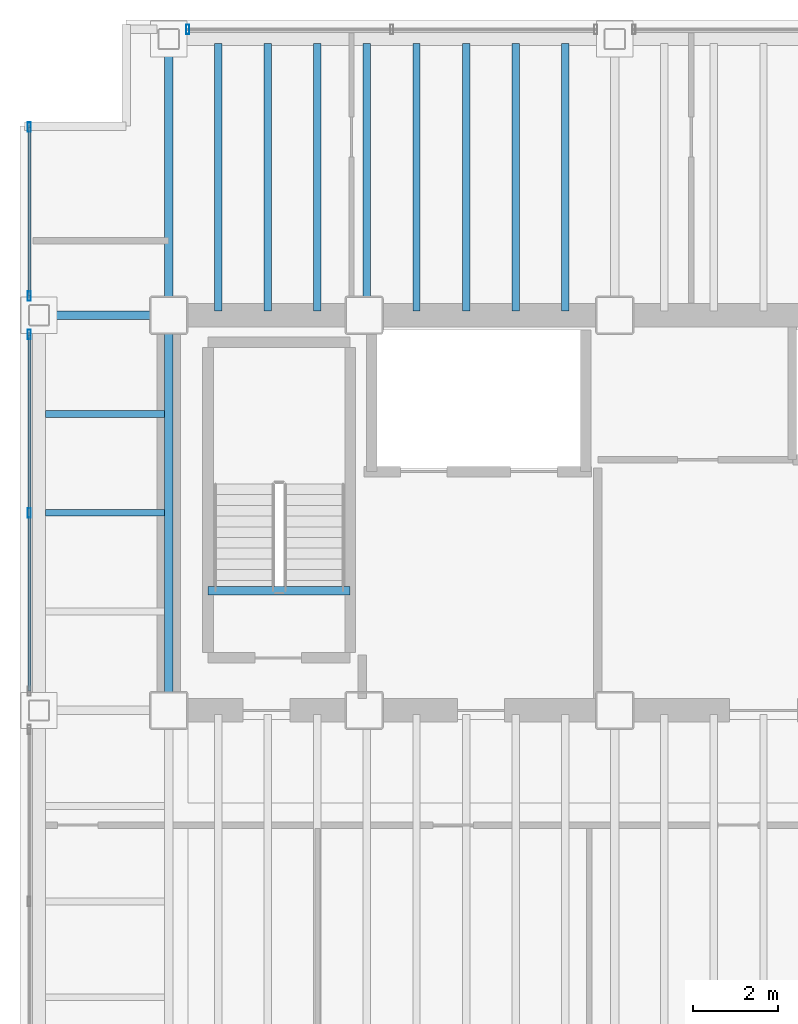
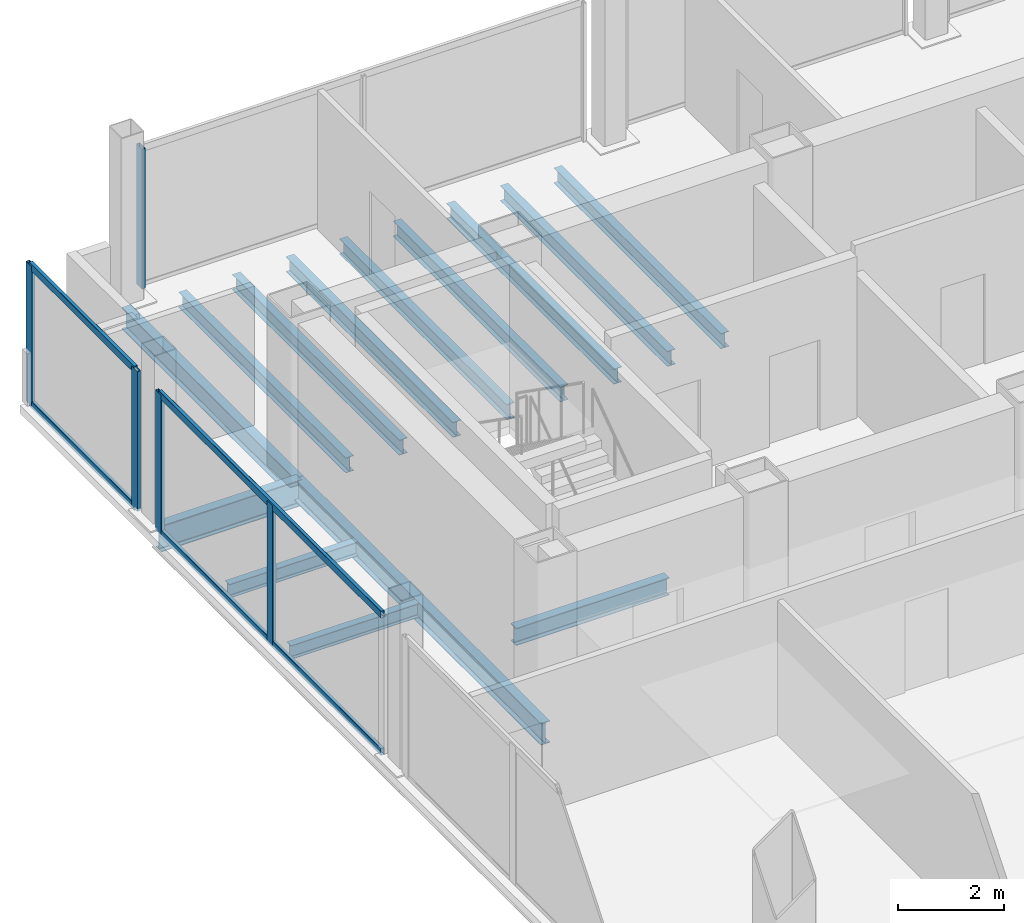
# One storey, part 6 of 15: 14 beams, 9 members, 3 elements without a shape of their own.
"""IFC4 building model written with IfcOpenShell, lengths in metres."""

from ifc_helpers import new_model, si_unit, direction, frame, origin, origin_2d, place, context, subcontext, project, spatial, hollow_rectangle, i_section, extrude, material, material_profile, profile_set, type_object, element, aggregate, save


model = new_model("IFC4")

# Units and contexts
model_context = context("Model", 3, precision=1e-05, world=origin(), true_north=direction((0.0, 1.0)))
body_context = subcontext(model_context, "Body", "Model", "MODEL_VIEW")
ifc_project = project(units=[si_unit("LENGTHUNIT", "METRE"), si_unit("AREAUNIT", "SQUARE_METRE"), si_unit("VOLUMEUNIT", "CUBIC_METRE"), si_unit("PLANEANGLEUNIT", "RADIAN"), si_unit("MASSUNIT", "GRAM", prefix="KILO")], contexts=[model_context])

# Site, building, storey
site_placement = place(None, origin())
site = spatial("IfcSite", under=ifc_project, at=site_placement, CompositionType="ELEMENT")
building_placement = place(site_placement, origin())
building = spatial("IfcBuilding", under=site, at=building_placement, Name="Noeulbin Bourse Tower", CompositionType="ELEMENT")
storey_placement = place(building_placement, frame((0.0, 0.0, 173.39990234375)))
storey = spatial("IfcBuildingStorey", under=building, at=storey_placement, Name="L43", CompositionType="ELEMENT", Elevation=173.39990234375)

# Beams
ifc_material_1 = material(Name="Steel S355", Category="steel")
ifc_material_profile_1 = material_profile(ifc_material_1, i_section(OverallWidth=0.199951171875, OverallDepth=0.5, WebThickness=0.010009765625, FlangeThickness=0.01611328125, FilletRadius=0.02001953125, at=origin_2d()), Name="H-500x200x10x16", Category="LoadBearing")
ifc_profile_set_1 = profile_set([ifc_material_profile_1], Name="Steel S355")
beam_type_1 = type_object("IfcBeamType", Name="BM-GRD-500", PredefinedType="USERDEFINED", material=ifc_profile_set_1)
beam_1_placement = place(storey_placement, frame((13.5, 29.0, -0.429931640625), z_axis=(0.0, 1.0, 0.0), x_axis=(-1.0, 0.0, 0.0)))
element("IfcBeam", 1, at=beam_1_placement, inside=storey, type_object=beam_type_1, Name="Tower Primary Girder NS L43-1.3", ObjectType="GIRDER", PredefinedType="USERDEFINED", context=body_context, shape_type="SweptSolid", body=[
    extrude(i_section(OverallWidth=0.199951171875, OverallDepth=0.5, WebThickness=0.010009765625, FlangeThickness=0.01611328125, FilletRadius=0.02001953125, at=origin_2d()), origin(), (0.0, 0.0, 1.0), 9.300048828125),
])
beam_2_placement = place(storey_placement, frame((13.5, 38.300048828125, -0.429931640625), z_axis=(0.0, 1.0, 0.0), x_axis=(-1.0, 0.0, 0.0)))
element("IfcBeam", 2, at=beam_2_placement, inside=storey, type_object=beam_type_1, Name="Tower Primary Girder NS L43-1.4", ObjectType="GIRDER", PredefinedType="USERDEFINED", context=body_context, shape_type="SweptSolid", body=[
    extrude(i_section(OverallWidth=0.199951171875, OverallDepth=0.5, WebThickness=0.010009765625, FlangeThickness=0.01611328125, FilletRadius=0.02001953125, at=origin_2d()), origin(), (0.0, 0.0, 1.0), 6.5),
])
ifc_material_profile_2 = material_profile(ifc_material_1, i_section(OverallWidth=0.199951171875, OverallDepth=0.60009765625, WebThickness=0.010986328125, FlangeThickness=0.01708984375, FilletRadius=0.02197265625, at=origin_2d()), Name="H-600x200x11x17", Category="LoadBearing")
ifc_profile_set_2 = profile_set([ifc_material_profile_2], Name="Steel S355")
beam_type_2 = type_object("IfcBeamType", Name="BM-GRD-600", PredefinedType="USERDEFINED", material=ifc_profile_set_2)
beam_3_placement = place(storey_placement, frame((10.449951171875, 38.300048828125, -0.47998046875), z_axis=(1.0, 0.0, 0.0), x_axis=(0.0, 1.0, 0.0)))
element("IfcBeam", 3, at=beam_3_placement, inside=storey, type_object=beam_type_2, Name="Tower Primary Girder EW L43-3.1", ObjectType="GIRDER", PredefinedType="USERDEFINED", context=body_context, shape_type="SweptSolid", body=[
    extrude(i_section(OverallWidth=0.199951171875, OverallDepth=0.60009765625, WebThickness=0.010986328125, FlangeThickness=0.01708984375, FilletRadius=0.02197265625, at=origin_2d()), origin(), (0.0, 0.0, 1.0), 3.050048828125),
])
ifc_material_profile_3 = material_profile(ifc_material_1, i_section(OverallWidth=0.159912109375, OverallDepth=0.320068359375, WebThickness=0.006591796875, FlangeThickness=0.010009765625, FilletRadius=0.012939453125, at=origin_2d()), Name="H-320x160x6.5x10", Category="LoadBearing")
ifc_profile_set_3 = profile_set([ifc_material_profile_3], Name="Steel S355")
beam_type_3 = type_object("IfcBeamType", Name="BM-JST-320", PredefinedType="JOIST", material=ifc_profile_set_3)
for number, where, z_axis, x_axis, name in (
    (4, (10.60009765625, 33.64990234375, -0.33984375), (1.0, 0.0, 0.0), (0.0, 1.0, 0.0), "Wing Composite Joist L43-W71"),
    (5, (10.60009765625, 35.97509765625, -0.33984375), (1.0, 0.0, 0.0), (0.0, 1.0, 0.0), "Wing Composite Joist L43-W72"),
):
    element("IfcBeam", number, at=place(storey_placement, frame(where, z_axis=z_axis, x_axis=x_axis)), inside=storey, type_object=beam_type_3, Name=name, PredefinedType="JOIST", context=body_context, shape_type="SweptSolid", body=[
        extrude(i_section(OverallWidth=0.159912109375, OverallDepth=0.320068359375, WebThickness=0.006591796875, FlangeThickness=0.010009765625, FilletRadius=0.012939453125, at=origin_2d()), origin(), (0.0, 0.0, 1.0), 2.7998046875),
    ])
ifc_material_profile_4 = material_profile(ifc_material_1, i_section(OverallWidth=0.175048828125, OverallDepth=0.35009765625, WebThickness=0.007080078125, FlangeThickness=0.010986328125, FilletRadius=0.013916015625, at=origin_2d()), Name="H-350x175x7x11", Category="LoadBearing")
ifc_profile_set_4 = profile_set([ifc_material_profile_4], Name="Steel S355")
beam_type_4 = type_object("IfcBeamType", Name="BM-JST-350", PredefinedType="JOIST", material=ifc_profile_set_4)
for number, where, z_axis, x_axis, name in (
    (6, (14.666748046875, 38.39990234375, -0.35498046875), (0.0, 1.0, 0.0), (-1.0, 0.0, 0.0), "Tower Composite Joist L43-03"),
    (7, (15.833251953125, 38.39990234375, -0.35498046875), (0.0, 1.0, 0.0), (-1.0, 0.0, 0.0), "Tower Composite Joist L43-06"),
    (8, (17.0, 38.39990234375, -0.35498046875), (0.0, 1.0, 0.0), (-1.0, 0.0, 0.0), "Tower Composite Joist L43-09"),
    (9, (18.166748046875, 38.39990234375, -0.35498046875), (0.0, 1.0, 0.0), (-1.0, 0.0, 0.0), "Tower Composite Joist L43-12"),
    (10, (19.333251953125, 38.39990234375, -0.35498046875), (0.0, 1.0, 0.0), (-1.0, 0.0, 0.0), "Tower Composite Joist L43-15"),
    (11, (20.5, 38.39990234375, -0.35498046875), (0.0, 1.0, 0.0), (-1.0, 0.0, 0.0), "Tower Composite Joist L43-18"),
    (12, (21.666748046875, 38.39990234375, -0.35498046875), (0.0, 1.0, 0.0), (-1.0, 0.0, 0.0), "Tower Composite Joist L43-21"),
    (13, (22.833251953125, 38.39990234375, -0.35498046875), (0.0, 1.0, 0.0), (-1.0, 0.0, 0.0), "Tower Composite Joist L43-24"),
):
    element("IfcBeam", number, at=place(storey_placement, frame(where, z_axis=z_axis, x_axis=x_axis)), inside=storey, type_object=beam_type_4, Name=name, PredefinedType="JOIST", context=body_context, shape_type="SweptSolid", body=[
        extrude(i_section(OverallWidth=0.175048828125, OverallDepth=0.35009765625, WebThickness=0.007080078125, FlangeThickness=0.010986328125, FilletRadius=0.013916015625, at=origin_2d()), origin(), (0.0, 0.0, 1.0), 6.300048828125),
    ])
ifc_material_profile_5 = material_profile(ifc_material_1, i_section(OverallWidth=0.199951171875, OverallDepth=0.39990234375, WebThickness=0.008056640625, FlangeThickness=0.012939453125, FilletRadius=0.01611328125, at=origin_2d()), Name="H-400x200x8x13", Category="LoadBearing")
ifc_profile_set_5 = profile_set([ifc_material_profile_5], Name="Steel S355")
beam_type_5 = type_object("IfcBeamType", Name="BM-SEC-400", PredefinedType="BEAM", material=ifc_profile_set_5)
beam_4_placement = place(storey_placement, frame((14.429931640625, 31.820068359375, -0.199951171875), z_axis=(1.0, 0.0, 0.0), x_axis=(0.0, 1.0, 0.0)))
element("IfcBeam", 14, at=beam_4_placement, inside=storey, type_object=beam_type_5, Name="Stair Threshold Trimmer Beam ST1-L43", PredefinedType="BEAM", context=body_context, shape_type="SweptSolid", body=[
    extrude(i_section(OverallWidth=0.199951171875, OverallDepth=0.39990234375, WebThickness=0.008056640625, FlangeThickness=0.012939453125, FilletRadius=0.01611328125, at=origin_2d()), origin(), (0.0, 0.0, 1.0), 3.340087890625),
])

# Curtain wall, member
ifc_material_2 = material(Name="Dark Tinted Triple Glazing", Category="glass")
curtain_wall_type = type_object("IfcCurtainWallType", Name="CW-SYS-3", PredefinedType="NOTDEFINED", material=ifc_material_2)
curtain_wall_1_placement = place(storey_placement, origin())
curtain_wall_1 = element("IfcCurtainWall", 15, at=curtain_wall_1_placement, inside=storey, type_object=curtain_wall_type, Name="Unitised Curtain Wall CW-L43-N-S1", PredefinedType="NOTDEFINED")
ifc_material_3 = material(Name="Anodised Aluminium 6063-T6", Category="aluminium")
ifc_material_profile_6 = material_profile(ifc_material_3, hollow_rectangle(XDim=0.074951171875, YDim=0.219970703125, WallThickness=0.0048828125, InnerFilletRadius=0.00244140625, OuterFilletRadius=0.0048828125, at=origin_2d()), Name="ALU-MULL-75x220x5", Category="LoadBearing")
ifc_profile_set_6 = profile_set([ifc_material_profile_6], Name="Anodised Aluminium 6063-T6")
member_type_1 = type_object("IfcMemberType", Name="CW-SYS-3-MUL", PredefinedType="MULLION", material=ifc_profile_set_6)
member_1_placement = place(storey_placement, frame((13.949951171875, 45.030029296875, -0.02001953125), z_axis=(0.0, 0.0, 1.0), x_axis=(1.0, 0.0, 0.0)))
member_1 = element("IfcMember", 16, at=member_1_placement, type_object=member_type_1, Name="Curtain Wall Mullion CW-L43-N-S1-M00", PredefinedType="MULLION", context=body_context, shape_type="SweptSolid", body=[
    extrude(hollow_rectangle(XDim=0.074951171875, YDim=0.219970703125, WallThickness=0.0048828125, InnerFilletRadius=0.00244140625, OuterFilletRadius=0.0048828125, at=origin_2d()), origin(), (0.0, 0.0, 1.0), 3.22021484375),
])
aggregate(curtain_wall_1, [member_1])

# Curtain wall, members
curtain_wall_2_placement = place(storey_placement, origin())
curtain_wall_2 = element("IfcCurtainWall", 17, at=curtain_wall_2_placement, inside=storey, type_object=curtain_wall_type, Name="Unitised Curtain Wall CW-L43-W-S2", PredefinedType="NOTDEFINED")
member_2_placement = place(storey_placement, frame((10.219970703125, 33.64990234375, -0.02001953125), z_axis=(0.0, 0.0, 1.0), x_axis=(1.0, 0.0, 0.0)))
member_2 = element("IfcMember", 18, at=member_2_placement, type_object=member_type_1, Name="Curtain Wall Mullion CW-L43-W-S2-M01", PredefinedType="MULLION", context=body_context, shape_type="SweptSolid", body=[
    extrude(hollow_rectangle(XDim=0.074951171875, YDim=0.219970703125, WallThickness=0.0048828125, InnerFilletRadius=0.00244140625, OuterFilletRadius=0.0048828125, at=origin_2d()), origin(), (0.0, 0.0, 1.0), 3.22021484375),
])
member_3_placement = place(storey_placement, frame((10.219970703125, 37.85009765625, -0.02001953125), z_axis=(0.0, 0.0, 1.0), x_axis=(1.0, 0.0, 0.0)))
member_3 = element("IfcMember", 19, at=member_3_placement, type_object=member_type_1, Name="Curtain Wall Mullion CW-L43-W-S2-M02", PredefinedType="MULLION", context=body_context, shape_type="SweptSolid", body=[
    extrude(hollow_rectangle(XDim=0.074951171875, YDim=0.219970703125, WallThickness=0.0048828125, InnerFilletRadius=0.00244140625, OuterFilletRadius=0.0048828125, at=origin_2d()), origin(), (0.0, 0.0, 1.0), 3.22021484375),
])

curtain_wall_3_placement = place(storey_placement, origin())
curtain_wall_3 = element("IfcCurtainWall", 20, at=curtain_wall_3_placement, inside=storey, type_object=curtain_wall_type, Name="Unitised Curtain Wall CW-L43-W-S3", PredefinedType="NOTDEFINED")
member_4_placement = place(storey_placement, frame((10.219970703125, 38.75, -0.02001953125), z_axis=(0.0, 0.0, 1.0), x_axis=(1.0, 0.0, 0.0)))
member_4 = element("IfcMember", 21, at=member_4_placement, type_object=member_type_1, Name="Curtain Wall Mullion CW-L43-W-S3-M00", PredefinedType="MULLION", context=body_context, shape_type="SweptSolid", body=[
    extrude(hollow_rectangle(XDim=0.074951171875, YDim=0.219970703125, WallThickness=0.0048828125, InnerFilletRadius=0.00244140625, OuterFilletRadius=0.0048828125, at=origin_2d()), origin(), (0.0, 0.0, 1.0), 3.22021484375),
])
member_5_placement = place(storey_placement, frame((10.219970703125, 42.72998046875, -0.02001953125), z_axis=(0.0, 0.0, 1.0), x_axis=(1.0, 0.0, 0.0)))
member_5 = element("IfcMember", 22, at=member_5_placement, type_object=member_type_1, Name="Curtain Wall Mullion CW-L43-W-S3-M01", PredefinedType="MULLION", context=body_context, shape_type="SweptSolid", body=[
    extrude(hollow_rectangle(XDim=0.074951171875, YDim=0.219970703125, WallThickness=0.0048828125, InnerFilletRadius=0.00244140625, OuterFilletRadius=0.0048828125, at=origin_2d()), origin(), (0.0, 0.0, 1.0), 3.22021484375),
])

# Member
ifc_material_profile_7 = material_profile(ifc_material_3, hollow_rectangle(XDim=0.074951171875, YDim=0.159912109375, WallThickness=0.0048828125, InnerFilletRadius=0.00244140625, OuterFilletRadius=0.0048828125, at=origin_2d()), Name="ALU-TRAN-75x160x5", Category="LoadBearing")
ifc_profile_set_7 = profile_set([ifc_material_profile_7], Name="Anodised Aluminium 6063-T6")
member_type_2 = type_object("IfcMemberType", Name="CW-SYS-3-TRN", PredefinedType="USERDEFINED", material=ifc_profile_set_7)
member_6_placement = place(storey_placement, frame((10.219970703125, 29.4599609375, 0.010009765625), z_axis=(0.0, 1.0, 0.0), x_axis=(-1.0, 0.0, 0.0)))
member_6 = element("IfcMember", 23, at=member_6_placement, type_object=member_type_2, Name="Curtain Wall Transom CW-L43-W-S2-T00", ObjectType="TRANSOM", PredefinedType="USERDEFINED", context=body_context, shape_type="SweptSolid", body=[
    extrude(hollow_rectangle(XDim=0.074951171875, YDim=0.159912109375, WallThickness=0.0048828125, InnerFilletRadius=0.00244140625, OuterFilletRadius=0.0048828125, at=origin_2d()), origin(), (0.0, 0.0, 1.0), 8.380126953125),
])

member_7_placement = place(storey_placement, frame((10.219970703125, 29.4599609375, 3.170166015625), z_axis=(0.0, 1.0, 0.0), x_axis=(-1.0, 0.0, 0.0)))
member_7 = element("IfcMember", 24, at=member_7_placement, type_object=member_type_2, Name="Curtain Wall Transom CW-L43-W-S2-T01", ObjectType="TRANSOM", PredefinedType="USERDEFINED", context=body_context, shape_type="SweptSolid", body=[
    extrude(hollow_rectangle(XDim=0.074951171875, YDim=0.159912109375, WallThickness=0.0048828125, InnerFilletRadius=0.00244140625, OuterFilletRadius=0.0048828125, at=origin_2d()), origin(), (0.0, 0.0, 1.0), 8.380126953125),
])

aggregate(curtain_wall_2, [member_2, member_3, member_6, member_7])

member_8_placement = place(storey_placement, frame((10.219970703125, 38.760009765625, 0.010009765625), z_axis=(0.0, 1.0, 0.0), x_axis=(-1.0, 0.0, 0.0)))
member_8 = element("IfcMember", 25, at=member_8_placement, type_object=member_type_2, Name="Curtain Wall Transom CW-L43-W-S3-T00", ObjectType="TRANSOM", PredefinedType="USERDEFINED", context=body_context, shape_type="SweptSolid", body=[
    extrude(hollow_rectangle(XDim=0.074951171875, YDim=0.159912109375, WallThickness=0.0048828125, InnerFilletRadius=0.00244140625, OuterFilletRadius=0.0048828125, at=origin_2d()), origin(), (0.0, 0.0, 1.0), 3.9599609375),
])

member_9_placement = place(storey_placement, frame((10.219970703125, 38.760009765625, 3.170166015625), z_axis=(0.0, 1.0, 0.0), x_axis=(-1.0, 0.0, 0.0)))
member_9 = element("IfcMember", 26, at=member_9_placement, type_object=member_type_2, Name="Curtain Wall Transom CW-L43-W-S3-T01", ObjectType="TRANSOM", PredefinedType="USERDEFINED", context=body_context, shape_type="SweptSolid", body=[
    extrude(hollow_rectangle(XDim=0.074951171875, YDim=0.159912109375, WallThickness=0.0048828125, InnerFilletRadius=0.00244140625, OuterFilletRadius=0.0048828125, at=origin_2d()), origin(), (0.0, 0.0, 1.0), 3.9599609375),
])

aggregate(curtain_wall_3, [member_4, member_5, member_8, member_9])

save(model, "model.ifc")
